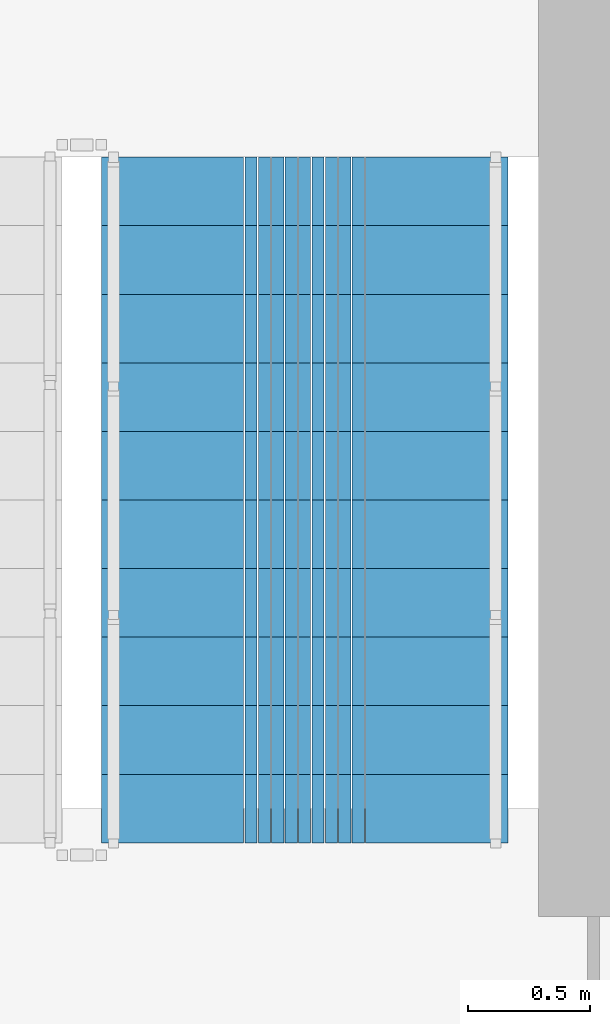
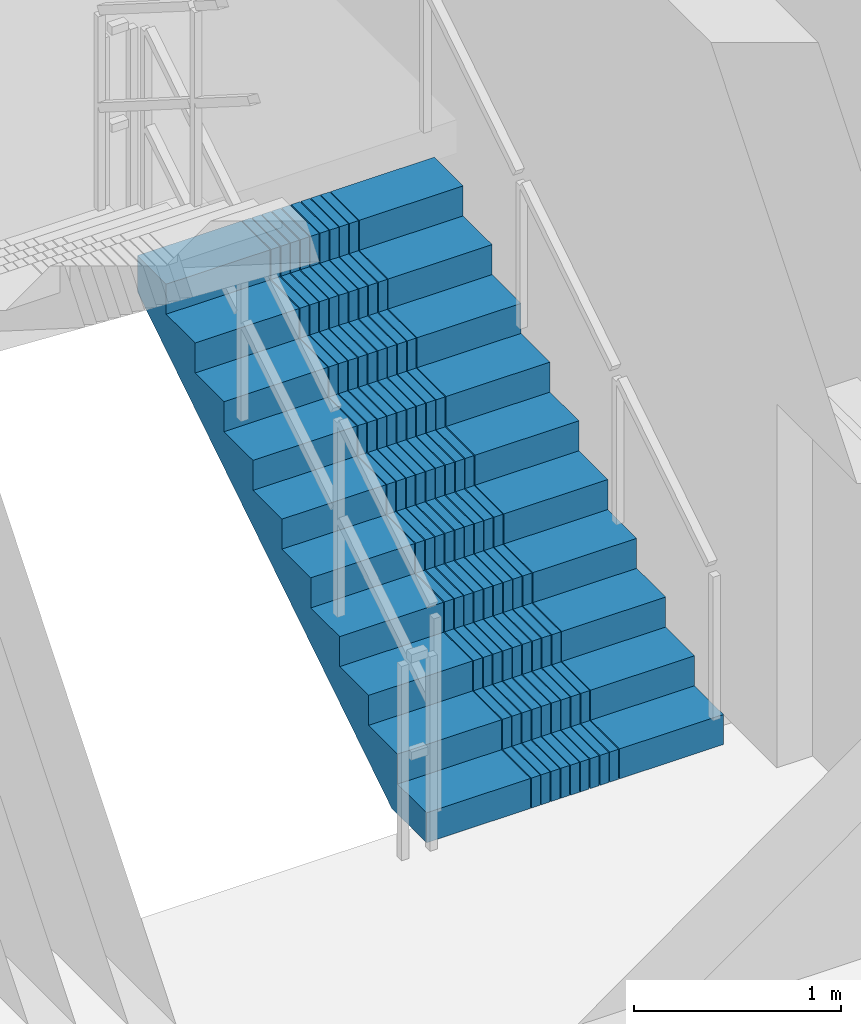
# One storey, part 22 of 27: 1 stair flight, 1 element without a shape of its own.
"""IFC4 building model written with IfcOpenShell, lengths in metres."""

from ifc_helpers import new_model, si_unit, direction, frame, origin, place, context, subcontext, project, spatial, polyline, outline, extrude, material, type_object, element, aggregate, save


model = new_model("IFC4")

# Units and contexts
model_context = context("Model", 3, precision=1e-05, world=origin(), true_north=direction((0.0, 1.0)))
body_context = subcontext(model_context, "Body", "Model", "MODEL_VIEW")
ifc_project = project(units=[si_unit("LENGTHUNIT", "METRE"), si_unit("AREAUNIT", "SQUARE_METRE"), si_unit("VOLUMEUNIT", "CUBIC_METRE"), si_unit("PLANEANGLEUNIT", "RADIAN"), si_unit("MASSUNIT", "GRAM", prefix="KILO")], contexts=[model_context])

# Site, building, storey
site_placement = place(None, origin())
site = spatial("IfcSite", under=ifc_project, at=site_placement, CompositionType="ELEMENT")
building_placement = place(site_placement, origin())
building = spatial("IfcBuilding", under=site, at=building_placement, Name="Saelheon Loggia Tower", CompositionType="ELEMENT")
storey_placement = place(building_placement, frame((0.0, 0.0, 226.199951171875)))
storey = spatial("IfcBuildingStorey", under=building, at=storey_placement, Name="L70", CompositionType="ELEMENT", Elevation=226.199951171875)

# Stair, stair flight
ifc_material = material(Name="Concrete C40/50", Category="concrete")
stair_type = type_object("IfcStairType", Name="Stair_Escape_Core", PredefinedType="HALF_TURN_STAIR", material=ifc_material)
stair_placement = place(storey_placement, origin())
stair = element("IfcStair", 1, at=stair_placement, inside=storey, type_object=stair_type, Name="L70 Special Escape Stair ST2", PredefinedType="HALF_TURN_STAIR")
stair_flight_type = type_object("IfcStairFlightType", Name="StairFlight_Tower_1660", PredefinedType="STRAIGHT", material=ifc_material)
stair_flight_placement = place(storey_placement, frame((43.320068359375, 30.449951171875, 0.0), z_axis=(0.0, 0.0, 1.0), x_axis=(0.0, 1.0, 0.0)))
stair_flight = element("IfcStairFlight", 2, at=stair_flight_placement, type_object=stair_flight_type, Name="ST2 flight 1", NumberOfRisers=11, NumberOfTreads=10, PredefinedType="STRAIGHT", RiserHeight=0.177272727, TreadLength=0.28, context=body_context, shape_type="SweptSolid", body=[
    extrude(outline(polyline([(0.0, 0.0), (0.0, 0.17724609375), (0.280029296875, 0.17724609375), (0.280029296875, 0.3544921875), (0.56005859375, 0.3544921875), (0.56005859375, 0.53173828125), (0.840087890625, 0.53173828125), (0.840087890625, 0.708984375), (1.1201171875, 0.708984375), (1.1201171875, 0.886474609375), (1.39990234375, 0.886474609375), (1.39990234375, 1.063720703125), (1.679931640625, 1.063720703125), (1.679931640625, 1.240966796875), (1.9599609375, 1.240966796875), (1.9599609375, 1.418212890625), (2.239990234375, 1.418212890625), (2.239990234375, 1.595458984375), (2.52001953125, 1.595458984375), (2.52001953125, 1.772705078125), (2.800048828125, 1.772705078125), (2.800048828125, 1.949951171875), (2.800048828125, 1.559814453125), (0.33642578125, 0.0), (0.0, 0.0)])), frame((0.0, -0.2490234375, 0.0), z_axis=(0.0, -1.0, 0.0), x_axis=(1.0, 0.0, 0.0)), (0.0, 0.0, 1.0), 0.5810546875),
    extrude(outline(polyline([(0.0, 0.0), (0.0, 0.17724609375), (0.280029296875, 0.17724609375), (0.280029296875, 0.3544921875), (0.56005859375, 0.3544921875), (0.56005859375, 0.53173828125), (0.840087890625, 0.53173828125), (0.840087890625, 0.708984375), (1.1201171875, 0.708984375), (1.1201171875, 0.886474609375), (1.39990234375, 0.886474609375), (1.39990234375, 1.063720703125), (1.679931640625, 1.063720703125), (1.679931640625, 1.240966796875), (1.9599609375, 1.240966796875), (1.9599609375, 1.418212890625), (2.239990234375, 1.418212890625), (2.239990234375, 1.595458984375), (2.52001953125, 1.595458984375), (2.52001953125, 1.772705078125), (2.800048828125, 1.772705078125), (2.800048828125, 1.949951171875), (2.800048828125, 1.559814453125), (0.33642578125, 0.0), (0.0, 0.0)])), frame((0.0, -0.194091796875, 0.0), z_axis=(0.0, -1.0, 0.0), x_axis=(1.0, 0.0, 0.0)), (0.0, 0.0, 1.0), 0.0498046875),
    extrude(outline(polyline([(0.0, 0.0), (0.0, 0.17724609375), (0.280029296875, 0.17724609375), (0.280029296875, 0.3544921875), (0.56005859375, 0.3544921875), (0.56005859375, 0.53173828125), (0.840087890625, 0.53173828125), (0.840087890625, 0.708984375), (1.1201171875, 0.708984375), (1.1201171875, 0.886474609375), (1.39990234375, 0.886474609375), (1.39990234375, 1.063720703125), (1.679931640625, 1.063720703125), (1.679931640625, 1.240966796875), (1.9599609375, 1.240966796875), (1.9599609375, 1.418212890625), (2.239990234375, 1.418212890625), (2.239990234375, 1.595458984375), (2.52001953125, 1.595458984375), (2.52001953125, 1.772705078125), (2.800048828125, 1.772705078125), (2.800048828125, 1.949951171875), (2.800048828125, 1.559814453125), (0.33642578125, 0.0), (0.0, 0.0)])), frame((0.0, -0.139404296875, 0.0), z_axis=(0.0, -1.0, 0.0), x_axis=(1.0, 0.0, 0.0)), (0.0, 0.0, 1.0), 0.0498046875),
    extrude(outline(polyline([(0.0, 0.0), (0.0, 0.17724609375), (0.280029296875, 0.17724609375), (0.280029296875, 0.3544921875), (0.56005859375, 0.3544921875), (0.56005859375, 0.53173828125), (0.840087890625, 0.53173828125), (0.840087890625, 0.708984375), (1.1201171875, 0.708984375), (1.1201171875, 0.886474609375), (1.39990234375, 0.886474609375), (1.39990234375, 1.063720703125), (1.679931640625, 1.063720703125), (1.679931640625, 1.240966796875), (1.9599609375, 1.240966796875), (1.9599609375, 1.418212890625), (2.239990234375, 1.418212890625), (2.239990234375, 1.595458984375), (2.52001953125, 1.595458984375), (2.52001953125, 1.772705078125), (2.800048828125, 1.772705078125), (2.800048828125, 1.949951171875), (2.800048828125, 1.559814453125), (0.33642578125, 0.0), (0.0, 0.0)])), frame((0.0, -0.084716796875, 0.0), z_axis=(0.0, -1.0, 0.0), x_axis=(1.0, 0.0, 0.0)), (0.0, 0.0, 1.0), 0.0498046875),
    extrude(outline(polyline([(0.0, 0.0), (0.0, 0.17724609375), (0.280029296875, 0.17724609375), (0.280029296875, 0.3544921875), (0.56005859375, 0.3544921875), (0.56005859375, 0.53173828125), (0.840087890625, 0.53173828125), (0.840087890625, 0.708984375), (1.1201171875, 0.708984375), (1.1201171875, 0.886474609375), (1.39990234375, 0.886474609375), (1.39990234375, 1.063720703125), (1.679931640625, 1.063720703125), (1.679931640625, 1.240966796875), (1.9599609375, 1.240966796875), (1.9599609375, 1.418212890625), (2.239990234375, 1.418212890625), (2.239990234375, 1.595458984375), (2.52001953125, 1.595458984375), (2.52001953125, 1.772705078125), (2.800048828125, 1.772705078125), (2.800048828125, 1.949951171875), (2.800048828125, 1.559814453125), (0.33642578125, 0.0), (0.0, 0.0)])), frame((0.0, -0.02978515625, 0.0), z_axis=(0.0, -1.0, 0.0), x_axis=(1.0, 0.0, 0.0)), (0.0, 0.0, 1.0), 0.0498046875),
    extrude(outline(polyline([(0.0, 0.0), (0.0, 0.17724609375), (0.280029296875, 0.17724609375), (0.280029296875, 0.3544921875), (0.56005859375, 0.3544921875), (0.56005859375, 0.53173828125), (0.840087890625, 0.53173828125), (0.840087890625, 0.708984375), (1.1201171875, 0.708984375), (1.1201171875, 0.886474609375), (1.39990234375, 0.886474609375), (1.39990234375, 1.063720703125), (1.679931640625, 1.063720703125), (1.679931640625, 1.240966796875), (1.9599609375, 1.240966796875), (1.9599609375, 1.418212890625), (2.239990234375, 1.418212890625), (2.239990234375, 1.595458984375), (2.52001953125, 1.595458984375), (2.52001953125, 1.772705078125), (2.800048828125, 1.772705078125), (2.800048828125, 1.949951171875), (2.800048828125, 1.559814453125), (0.33642578125, 0.0), (0.0, 0.0)])), frame((0.0, 0.02490234375, 0.0), z_axis=(0.0, -1.0, 0.0), x_axis=(1.0, 0.0, 0.0)), (0.0, 0.0, 1.0), 0.0498046875),
    extrude(outline(polyline([(0.0, 0.0), (0.0, 0.17724609375), (0.280029296875, 0.17724609375), (0.280029296875, 0.3544921875), (0.56005859375, 0.3544921875), (0.56005859375, 0.53173828125), (0.840087890625, 0.53173828125), (0.840087890625, 0.708984375), (1.1201171875, 0.708984375), (1.1201171875, 0.886474609375), (1.39990234375, 0.886474609375), (1.39990234375, 1.063720703125), (1.679931640625, 1.063720703125), (1.679931640625, 1.240966796875), (1.9599609375, 1.240966796875), (1.9599609375, 1.418212890625), (2.239990234375, 1.418212890625), (2.239990234375, 1.595458984375), (2.52001953125, 1.595458984375), (2.52001953125, 1.772705078125), (2.800048828125, 1.772705078125), (2.800048828125, 1.949951171875), (2.800048828125, 1.559814453125), (0.33642578125, 0.0), (0.0, 0.0)])), frame((0.0, 0.07958984375, 0.0), z_axis=(0.0, -1.0, 0.0), x_axis=(1.0, 0.0, 0.0)), (0.0, 0.0, 1.0), 0.0498046875),
    extrude(outline(polyline([(0.0, 0.0), (0.0, 0.17724609375), (0.280029296875, 0.17724609375), (0.280029296875, 0.3544921875), (0.56005859375, 0.3544921875), (0.56005859375, 0.53173828125), (0.840087890625, 0.53173828125), (0.840087890625, 0.708984375), (1.1201171875, 0.708984375), (1.1201171875, 0.886474609375), (1.39990234375, 0.886474609375), (1.39990234375, 1.063720703125), (1.679931640625, 1.063720703125), (1.679931640625, 1.240966796875), (1.9599609375, 1.240966796875), (1.9599609375, 1.418212890625), (2.239990234375, 1.418212890625), (2.239990234375, 1.595458984375), (2.52001953125, 1.595458984375), (2.52001953125, 1.772705078125), (2.800048828125, 1.772705078125), (2.800048828125, 1.949951171875), (2.800048828125, 1.559814453125), (0.33642578125, 0.0), (0.0, 0.0)])), frame((0.0, 0.134521484375, 0.0), z_axis=(0.0, -1.0, 0.0), x_axis=(1.0, 0.0, 0.0)), (0.0, 0.0, 1.0), 0.0498046875),
    extrude(outline(polyline([(0.0, 0.0), (0.0, 0.17724609375), (0.280029296875, 0.17724609375), (0.280029296875, 0.3544921875), (0.56005859375, 0.3544921875), (0.56005859375, 0.53173828125), (0.840087890625, 0.53173828125), (0.840087890625, 0.708984375), (1.1201171875, 0.708984375), (1.1201171875, 0.886474609375), (1.39990234375, 0.886474609375), (1.39990234375, 1.063720703125), (1.679931640625, 1.063720703125), (1.679931640625, 1.240966796875), (1.9599609375, 1.240966796875), (1.9599609375, 1.418212890625), (2.239990234375, 1.418212890625), (2.239990234375, 1.595458984375), (2.52001953125, 1.595458984375), (2.52001953125, 1.772705078125), (2.800048828125, 1.772705078125), (2.800048828125, 1.949951171875), (2.800048828125, 1.559814453125), (0.33642578125, 0.0), (0.0, 0.0)])), frame((0.0, 0.189208984375, 0.0), z_axis=(0.0, -1.0, 0.0), x_axis=(1.0, 0.0, 0.0)), (0.0, 0.0, 1.0), 0.0498046875),
    extrude(outline(polyline([(0.0, 0.0), (0.0, 0.17724609375), (0.280029296875, 0.17724609375), (0.280029296875, 0.3544921875), (0.56005859375, 0.3544921875), (0.56005859375, 0.53173828125), (0.840087890625, 0.53173828125), (0.840087890625, 0.708984375), (1.1201171875, 0.708984375), (1.1201171875, 0.886474609375), (1.39990234375, 0.886474609375), (1.39990234375, 1.063720703125), (1.679931640625, 1.063720703125), (1.679931640625, 1.240966796875), (1.9599609375, 1.240966796875), (1.9599609375, 1.418212890625), (2.239990234375, 1.418212890625), (2.239990234375, 1.595458984375), (2.52001953125, 1.595458984375), (2.52001953125, 1.772705078125), (2.800048828125, 1.772705078125), (2.800048828125, 1.949951171875), (2.800048828125, 1.559814453125), (0.33642578125, 0.0), (0.0, 0.0)])), frame((0.0, 0.243896484375, 0.0), z_axis=(0.0, -1.0, 0.0), x_axis=(1.0, 0.0, 0.0)), (0.0, 0.0, 1.0), 0.0498046875),
    extrude(outline(polyline([(0.0, 0.0), (0.0, 0.17724609375), (0.280029296875, 0.17724609375), (0.280029296875, 0.3544921875), (0.56005859375, 0.3544921875), (0.56005859375, 0.53173828125), (0.840087890625, 0.53173828125), (0.840087890625, 0.708984375), (1.1201171875, 0.708984375), (1.1201171875, 0.886474609375), (1.39990234375, 0.886474609375), (1.39990234375, 1.063720703125), (1.679931640625, 1.063720703125), (1.679931640625, 1.240966796875), (1.9599609375, 1.240966796875), (1.9599609375, 1.418212890625), (2.239990234375, 1.418212890625), (2.239990234375, 1.595458984375), (2.52001953125, 1.595458984375), (2.52001953125, 1.772705078125), (2.800048828125, 1.772705078125), (2.800048828125, 1.949951171875), (2.800048828125, 1.559814453125), (0.33642578125, 0.0), (0.0, 0.0)])), frame((0.0, 0.830078125, 0.0), z_axis=(0.0, -1.0, 0.0), x_axis=(1.0, 0.0, 0.0)), (0.0, 0.0, 1.0), 0.5810546875),
])
aggregate(stair, [stair_flight])

save(model, "model.ifc")
